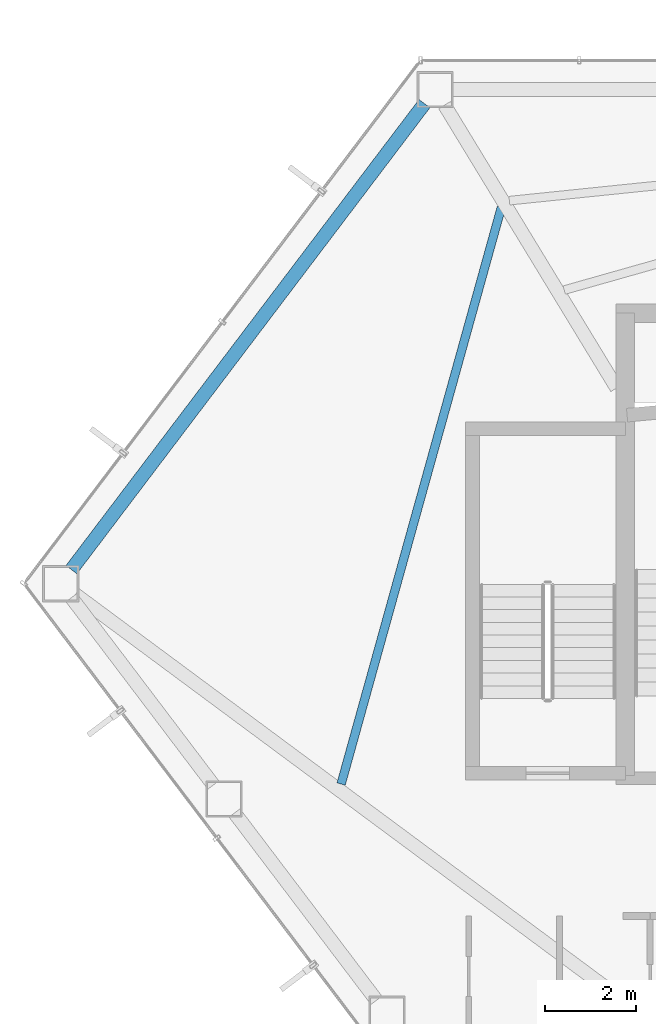
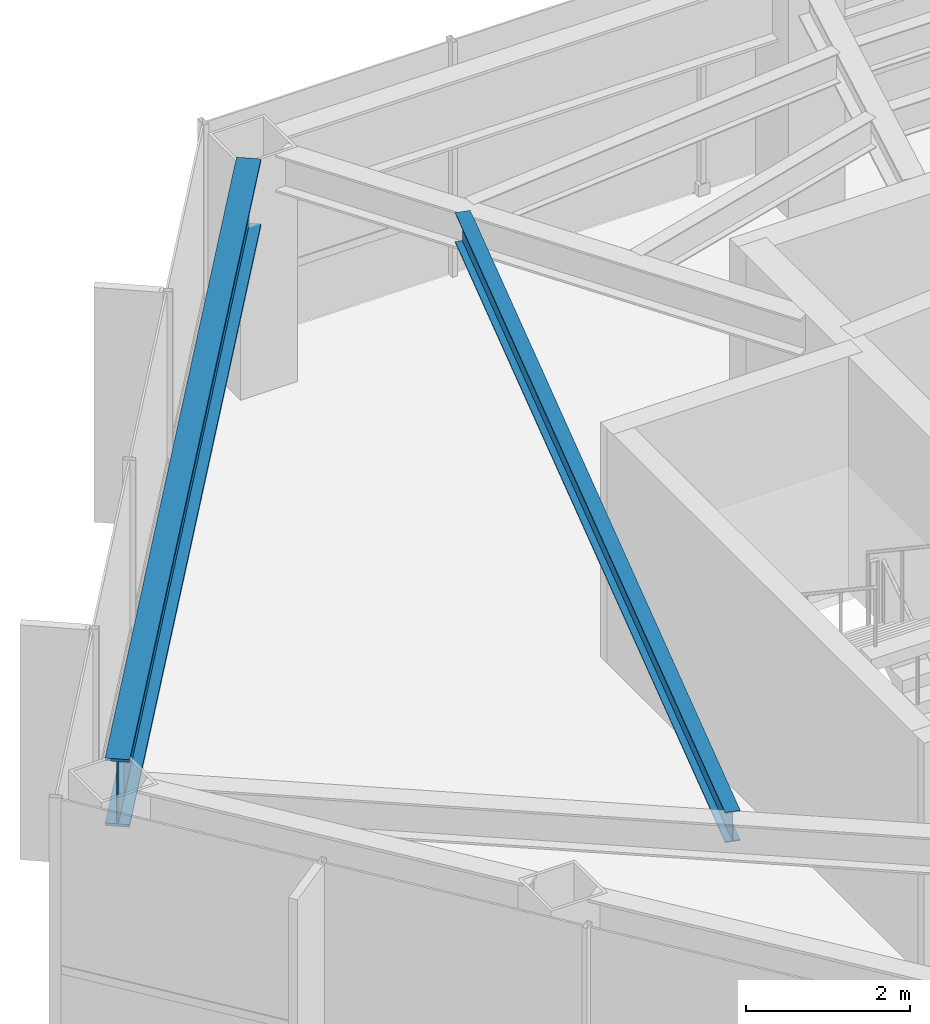
# One storey, part 11 of 28: 2 beams.
"""IFC4 building model written with IfcOpenShell, lengths in metres."""

from ifc_helpers import new_model, si_unit, direction, frame, origin, origin_2d, place, context, subcontext, project, spatial, i_section, extrude, material, material_profile, profile_set, type_object, element, save


model = new_model("IFC4")

# Units and contexts
model_context = context("Model", 3, precision=1e-05, world=origin(), true_north=direction((0.0, 1.0)))
body_context = subcontext(model_context, "Body", "Model", "MODEL_VIEW")
ifc_project = project(units=[si_unit("LENGTHUNIT", "METRE"), si_unit("AREAUNIT", "SQUARE_METRE"), si_unit("VOLUMEUNIT", "CUBIC_METRE"), si_unit("PLANEANGLEUNIT", "RADIAN"), si_unit("MASSUNIT", "GRAM", prefix="KILO")], contexts=[model_context])

# Site, building, storey
site_placement = place(None, origin())
site = spatial("IfcSite", under=ifc_project, at=site_placement, CompositionType="ELEMENT")
building_placement = place(site_placement, origin())
building = spatial("IfcBuilding", under=site, at=building_placement, Name="Zarrinselat Tower", CompositionType="ELEMENT")
storey_placement = place(building_placement, frame((0.0, 0.0, 149.60009765625)))
storey = spatial("IfcBuildingStorey", under=building, at=storey_placement, Name="L36", CompositionType="ELEMENT", Elevation=149.60009765625)

# Beams
ifc_material_1 = material(Name="Steel S460M", Category="steel")
ifc_material_profile_1 = material_profile(ifc_material_1, i_section(OverallWidth=0.302001953125, OverallDepth=1.008056640625, WebThickness=0.02099609375, FlangeThickness=0.0400390625, at=origin_2d()), Name="HEM 1000")
ifc_profile_set_1 = profile_set([ifc_material_profile_1], Name="Steel S460M")
beam_type_1 = type_object("IfcBeamType", Name="BM-HEM1000", PredefinedType="BEAM", material=ifc_profile_set_1)
beam_1_placement = place(storey_placement, frame((16.381591796875, 37.79248046875, 2.995849609375), z_axis=(0.603848213094, 0.797099326021, 0.0), x_axis=(-0.797099326021, 0.603848213094, 0.0)))
element("IfcBeam", 1, at=beam_1_placement, inside=storey, type_object=beam_type_1, Name="L36 Perimeter Spandrel Girder SP05", PredefinedType="BEAM", context=body_context, shape_type="SweptSolid", body=[
    extrude(i_section(OverallWidth=0.302001953125, OverallDepth=1.008056640625, WebThickness=0.02099609375, FlangeThickness=0.0400390625, at=origin_2d()), origin(), (0.0, 0.0, 1.0), 12.898681640625),
])
ifc_material_2 = material(Name="Steel S355J2", Category="steel")
ifc_material_profile_2 = material_profile(ifc_material_2, i_section(OverallWidth=0.18994140625, OverallDepth=0.449951171875, WebThickness=0.009521484375, FlangeThickness=0.0146484375, at=origin_2d()), Name="IPE 450")
ifc_profile_set_2 = profile_set([ifc_material_profile_2], Name="Steel S355J2")
beam_type_2 = type_object("IfcBeamType", Name="BM-IPE450", PredefinedType="JOIST", material=ifc_profile_set_2)
beam_2_placement = place(storey_placement, frame((22.33154296875, 33.0625, 3.27490234375), z_axis=(0.267770703509, 0.96348266738, 0.0), x_axis=(-0.96348266738, 0.267770703509, 0.0)))
element("IfcBeam", 2, at=beam_2_placement, inside=storey, type_object=beam_type_2, Name="L36 Composite Floor Joist 10-1", PredefinedType="JOIST", context=body_context, shape_type="SweptSolid", body=[
    extrude(i_section(OverallWidth=0.18994140625, OverallDepth=0.449951171875, WebThickness=0.009521484375, FlangeThickness=0.0146484375, at=origin_2d()), origin(), (0.0, 0.0, 1.0), 13.203125),
])

save(model, "model.ifc")
